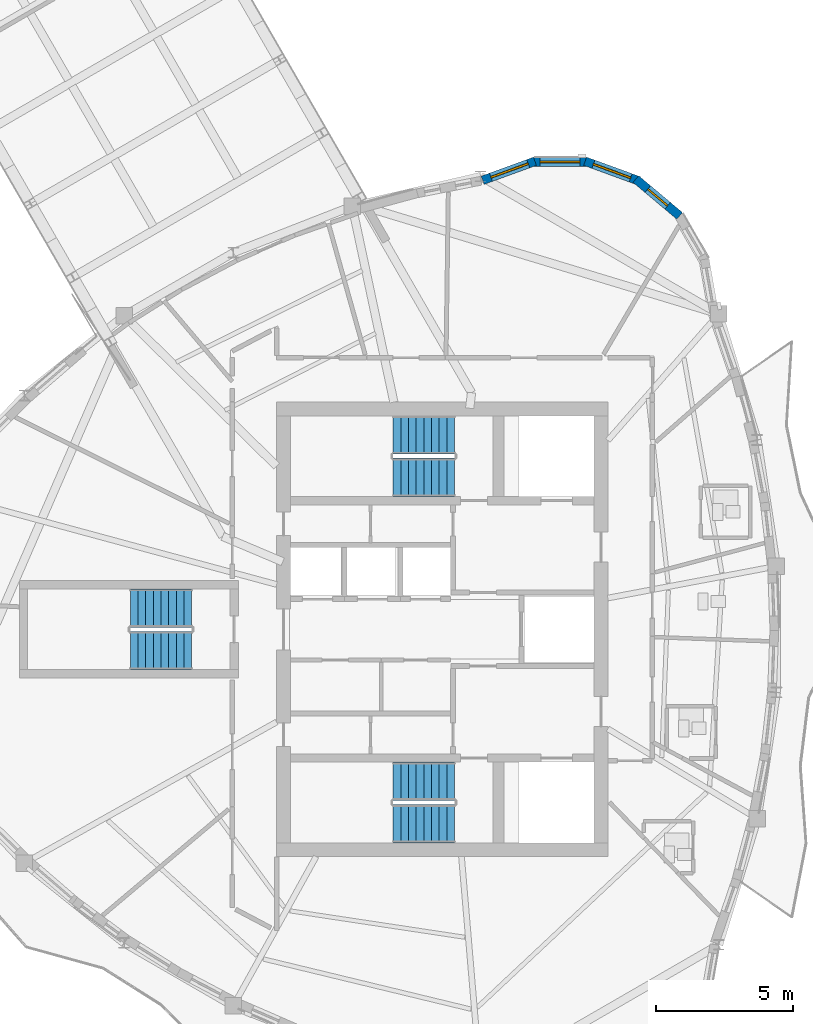
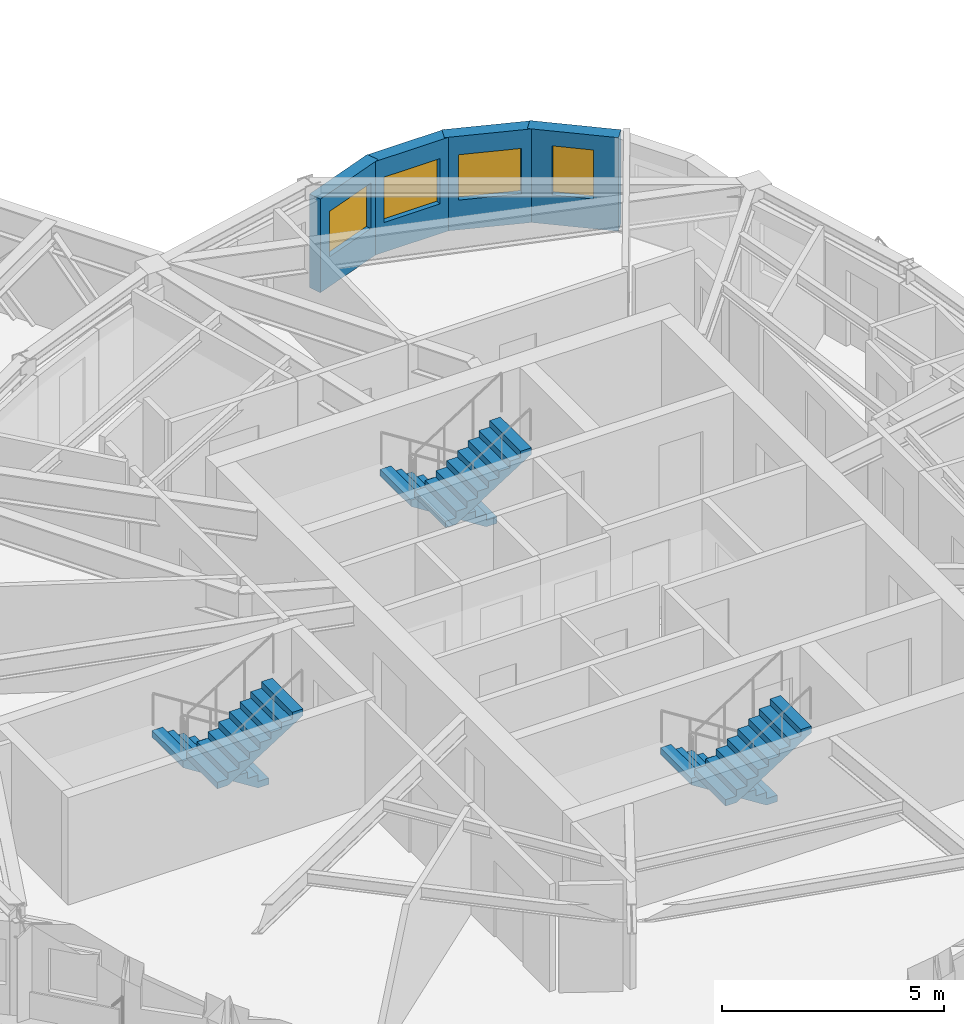
# One storey, part 10 of 14: 6 stair flights, 4 walls, 4 windows, 4 openings, 3 elements without a shape of their own.
"""IFC4 building model written with IfcOpenShell, lengths in metres."""

from ifc_helpers import new_model, si_unit, direction, frame, frame_2d, origin, place, context, subcontext, project, spatial, polyline, rectangle, outline, extrude, source, transform, mapped, material, layer, layer_set, type_object, element, fill, aggregate, save


model = new_model("IFC4")

# Units and contexts
model_context = context("Model", 3, precision=1e-05, world=origin(), true_north=direction((0.0, 1.0)))
body_context = subcontext(model_context, "Body", "Model", "MODEL_VIEW")
ifc_project = project(units=[si_unit("LENGTHUNIT", "METRE"), si_unit("AREAUNIT", "SQUARE_METRE"), si_unit("VOLUMEUNIT", "CUBIC_METRE"), si_unit("PLANEANGLEUNIT", "RADIAN"), si_unit("MASSUNIT", "GRAM", prefix="KILO")], contexts=[model_context])

# Site, building, storey
site_placement = place(None, origin())
site = spatial("IfcSite", under=ifc_project, at=site_placement, CompositionType="ELEMENT")
building_placement = place(site_placement, origin())
building = spatial("IfcBuilding", under=site, at=building_placement, Name="Qafzar Sky-Pleat Residences", CompositionType="ELEMENT")
storey_placement = place(building_placement, frame((0.0, 0.0, 211.60009765625)))
storey = spatial("IfcBuildingStorey", under=building, at=storey_placement, Name="L63", CompositionType="ELEMENT", Elevation=211.60009765625)

# Wall, opening, window
ifc_material_1 = material(Name="Precast concrete C40/50 with honed Riyadh limestone", Category="concrete")
ifc_layer = layer(ifc_material_1, 0.320068359375)
ifc_layer_set = layer_set([ifc_layer], Name="Precast concrete C40/50 with honed Riyadh limestone")
wall_type = type_object("IfcWallType", Name="WALL-EXT-320", PredefinedType="SOLIDWALL", material=ifc_layer_set)
wall_1_placement = place(storey_placement, frame((39.02197265625, 41.103515625, 0.0), z_axis=(0.0, 0.0, 1.0), x_axis=(-0.766072824549, 0.642753784499, 0.0)))
wall_1 = element("IfcWall", 1, at=wall_1_placement, inside=storey, type_object=wall_type, Name="L63 Limestone Facade Wall 35", PredefinedType="SOLIDWALL", context=body_context, shape_type="SweptSolid", body=[
    extrude(rectangle(XDim=2.090576171875, YDim=0.320068359375, at=frame_2d((1.04541015625, 0.0))), origin(), (0.0, 0.0, 1.0), 2.579833984375),
])
opening_1_placement = place(wall_1_placement, frame((0.5703125, 0.0, 0.820068359375)))
opening_1 = element("IfcOpeningElement", 2, at=opening_1_placement, cuts=wall_1, Name="Opening WN-12", PredefinedType="OPENING", context=body_context, shape_type="SweptSolid", body=[
    extrude(rectangle(XDim=0.949951171875, YDim=1.35009765625, at=frame_2d((0.47509765625, 0.675048828125))), frame((0.0, 0.169921875, 0.0), z_axis=(0.0, -1.0, 0.0), x_axis=(1.0, 0.0, 0.0)), (0.0, 0.0, 1.0), 0.340087890625),
])
ifc_material_2 = material(Name="Solar-control low-E glass in bronze aluminium frame", Category="glass")
window_type_1 = type_object("IfcWindowType", Name="WIN-12", PartitioningType="SINGLE_PANEL", PredefinedType="WINDOW", material=ifc_material_2)
shared_shape_1 = source(origin(), body_context, "Body", "SweptSolid", [
    extrude(rectangle(XDim=0.949951171875, YDim=1.35009765625, at=frame_2d((0.47509765625, 0.675048828125))), frame((0.0, 0.030029296875, 0.0), z_axis=(0.0, -1.0, 0.0), x_axis=(1.0, 0.0, 0.0)), (0.0, 0.0, 1.0), 0.06005859375),
])
window_1_placement = place(opening_1_placement, origin())
window_1 = element("IfcWindow", 3, at=window_1_placement, inside=storey, type_object=window_type_1, Name="L63 Punched Facade Window 35", OverallHeight=1.35009765625, OverallWidth=0.949951171875, PartitioningType="SINGLE_PANEL", PredefinedType="WINDOW", context=body_context, shape_type="MappedRepresentation", body=[
    mapped(shared_shape_1, transform((0.0, 0.0, 0.0), x_axis=(1.0, 0.0, 0.0), y_axis=(0.0, 1.0, 0.0), z_axis=(0.0, 0.0, 1.0), scale=1.0)),
])
fill(opening_1, window_1)

wall_2_placement = place(storey_placement, frame((37.533447265625, 42.382080078125, 0.0), z_axis=(0.0, 0.0, 1.0), x_axis=(-0.939697896412, 0.342005648315, 0.0)))
wall_2 = element("IfcWall", 4, at=wall_2_placement, inside=storey, type_object=wall_type, Name="L63 Limestone Facade Wall 36", PredefinedType="SOLIDWALL", context=body_context, shape_type="SweptSolid", body=[
    extrude(rectangle(XDim=2.090087890625, YDim=0.320068359375, at=frame_2d((1.044921875, 0.0))), origin(), (0.0, 0.0, 1.0), 2.579833984375),
])
opening_2_placement = place(wall_2_placement, frame((0.3203125, 0.0, 0.820068359375)))
opening_2 = element("IfcOpeningElement", 5, at=opening_2_placement, cuts=wall_2, Name="Opening WN-15", PredefinedType="OPENING", context=body_context, shape_type="SweptSolid", body=[
    extrude(rectangle(XDim=1.449951171875, YDim=1.25, at=frame_2d((0.72509765625, 0.625))), frame((0.0, 0.169921875, 0.0), z_axis=(0.0, -1.0, 0.0), x_axis=(1.0, 0.0, 0.0)), (0.0, 0.0, 1.0), 0.340087890625),
])
window_type_2 = type_object("IfcWindowType", Name="WIN-15", PartitioningType="SINGLE_PANEL", PredefinedType="WINDOW", material=ifc_material_2)
shared_shape_2 = source(origin(), body_context, "Body", "SweptSolid", [
    extrude(rectangle(XDim=1.449951171875, YDim=1.25, at=frame_2d((0.72509765625, 0.625))), frame((0.0, 0.030029296875, 0.0), z_axis=(0.0, -1.0, 0.0), x_axis=(1.0, 0.0, 0.0)), (0.0, 0.0, 1.0), 0.06005859375),
])
window_2_placement = place(opening_2_placement, origin())
window_2 = element("IfcWindow", 6, at=window_2_placement, inside=storey, type_object=window_type_2, Name="L63 Punched Facade Window 36", OverallHeight=1.25, OverallWidth=1.449951171875, PartitioningType="SINGLE_PANEL", PredefinedType="WINDOW", context=body_context, shape_type="MappedRepresentation", body=[
    mapped(shared_shape_2, transform((0.0, 0.0, 0.0), x_axis=(1.0, 0.0, 0.0), y_axis=(0.0, 1.0, 0.0), z_axis=(0.0, 0.0, 1.0), scale=1.0)),
])
fill(opening_2, window_2)

wall_3_placement = place(storey_placement, frame((35.69775390625, 43.074462890625, 0.0), z_axis=(0.0, 0.0, 1.0), x_axis=(-1.0, 0.0, 0.0)))
wall_3 = element("IfcWall", 7, at=wall_3_placement, inside=storey, type_object=wall_type, Name="L63 Limestone Facade Wall 37", PredefinedType="SOLIDWALL", context=body_context, shape_type="SweptSolid", body=[
    extrude(rectangle(XDim=2.09033203125, YDim=0.320068359375, at=frame_2d((1.045166015625, 0.0))), origin(), (0.0, 0.0, 1.0), 2.579833984375),
])
opening_3_placement = place(wall_3_placement, frame((0.3203125, 0.0, 0.820068359375)))
opening_3 = element("IfcOpeningElement", 8, at=opening_3_placement, cuts=wall_3, Name="Opening WN-15", PredefinedType="OPENING", context=body_context, shape_type="SweptSolid", body=[
    extrude(rectangle(XDim=1.449951171875, YDim=1.25, at=frame_2d((0.72509765625, 0.625))), frame((0.0, 0.169921875, 0.0), z_axis=(0.0, -1.0, 0.0), x_axis=(1.0, 0.0, 0.0)), (0.0, 0.0, 1.0), 0.340087890625),
])
window_3_placement = place(opening_3_placement, origin())
window_3 = element("IfcWindow", 9, at=window_3_placement, inside=storey, type_object=window_type_2, Name="L63 Punched Facade Window 37", OverallHeight=1.25, OverallWidth=1.449951171875, PartitioningType="SINGLE_PANEL", PredefinedType="WINDOW", context=body_context, shape_type="MappedRepresentation", body=[
    mapped(shared_shape_2, transform((0.0, 0.0, 0.0), x_axis=(1.0, 0.0, 0.0), y_axis=(0.0, 1.0, 0.0), z_axis=(0.0, 0.0, 1.0), scale=1.0)),
])
fill(opening_3, window_3)

wall_4_placement = place(storey_placement, frame((33.735595703125, 43.096923828125, 0.0), z_axis=(0.0, 0.0, 1.0), x_axis=(-0.939691662178, -0.342022777067, 0.0)))
wall_4 = element("IfcWall", 10, at=wall_4_placement, inside=storey, type_object=wall_type, Name="L63 Limestone Facade Wall 38", PredefinedType="SOLIDWALL", context=body_context, shape_type="SweptSolid", body=[
    extrude(rectangle(XDim=2.0322265625, YDim=0.320068359375, at=frame_2d((1.01611328125, 0.0))), origin(), (0.0, 0.0, 1.0), 2.579833984375),
])
opening_4_placement = place(wall_4_placement, frame((0.26123046875, 0.0, 0.820068359375)))
opening_4 = element("IfcOpeningElement", 11, at=opening_4_placement, cuts=wall_4, Name="Opening WN-15", PredefinedType="OPENING", context=body_context, shape_type="SweptSolid", body=[
    extrude(rectangle(XDim=1.449951171875, YDim=1.25, at=frame_2d((0.72509765625, 0.625))), frame((0.0, 0.169921875, 0.0), z_axis=(0.0, -1.0, 0.0), x_axis=(1.0, 0.0, 0.0)), (0.0, 0.0, 1.0), 0.340087890625),
])
window_4_placement = place(opening_4_placement, origin())
window_4 = element("IfcWindow", 12, at=window_4_placement, inside=storey, type_object=window_type_2, Name="L63 Punched Facade Window 38", OverallHeight=1.25, OverallWidth=1.449951171875, PartitioningType="SINGLE_PANEL", PredefinedType="WINDOW", context=body_context, shape_type="MappedRepresentation", body=[
    mapped(shared_shape_2, transform((0.0, 0.0, 0.0), x_axis=(1.0, 0.0, 0.0), y_axis=(0.0, 1.0, 0.0), z_axis=(0.0, 0.0, 1.0), scale=1.0)),
])
fill(opening_4, window_4)

# Stair, stair flights
ifc_material_3 = material(Name="Concrete C40/50", Category="concrete")
stair_type = type_object("IfcStairType", Name="STAIR-H320", PredefinedType="HALF_TURN_STAIR", material=ifc_material_3)
stair_1_placement = place(storey_placement, origin())
stair_1 = element("IfcStair", 13, at=stair_1_placement, inside=storey, type_object=stair_type, Name="L63 Protected Exit Stair ST1", PredefinedType="HALF_TURN_STAIR")
stair_flight_type = type_object("IfcStairFlightType", Name="FLIGHT-H320", PredefinedType="STRAIGHT", material=ifc_material_3)
shared_shape_3 = source(origin(), body_context, "Body", "SweptSolid", [
    extrude(outline(polyline([(0.0, 0.0), (0.0, 0.177734375), (0.280029296875, 0.177734375), (0.280029296875, 0.35546875), (0.56005859375, 0.35546875), (0.56005859375, 0.533447265625), (0.840087890625, 0.533447265625), (0.840087890625, 0.711181640625), (1.1201171875, 0.711181640625), (1.1201171875, 0.888916015625), (1.39990234375, 0.888916015625), (1.39990234375, 1.066650390625), (1.679931640625, 1.066650390625), (1.679931640625, 1.244384765625), (1.9599609375, 1.244384765625), (1.9599609375, 1.422119140625), (2.239990234375, 1.422119140625), (2.239990234375, 1.60009765625), (2.239990234375, 1.24462890625), (0.27978515625, 0.0), (0.0, 0.0)])), frame((0.0, 0.699951171875, 0.0), z_axis=(0.0, -1.0, 0.0), x_axis=(1.0, 0.0, 0.0)), (0.0, 0.0, 1.0), 1.39990234375),
])
stair_flight_1_placement = place(storey_placement, frame((30.800048828125, 20.449951171875, 0.0), z_axis=(0.0, 0.0, 1.0), x_axis=(-1.0, 0.0, 0.0)))
stair_flight_1 = element("IfcStairFlight", 14, at=stair_flight_1_placement, type_object=stair_flight_type, Name="ST1 flight 1", NumberOfRisers=9, NumberOfTreads=8, PredefinedType="STRAIGHT", RiserHeight=0.177777778, TreadLength=0.28, context=body_context, shape_type="MappedRepresentation", body=[
    mapped(shared_shape_3, transform((0.0, 0.0, 0.0), x_axis=(1.0, 0.0, 0.0), y_axis=(0.0, 1.0, 0.0), z_axis=(0.0, 0.0, 1.0), scale=1.0)),
])
stair_flight_2_placement = place(storey_placement, frame((28.56005859375, 18.89990234375, 1.599853515625), z_axis=(0.0, 0.0, 1.0), x_axis=(1.0, 0.0, 0.0)))
stair_flight_2 = element("IfcStairFlight", 15, at=stair_flight_2_placement, type_object=stair_flight_type, Name="ST1 flight 2", NumberOfRisers=9, NumberOfTreads=8, PredefinedType="STRAIGHT", RiserHeight=0.177777778, TreadLength=0.28, context=body_context, shape_type="MappedRepresentation", body=[
    mapped(shared_shape_3, transform((0.0, 0.0, 0.0), x_axis=(1.0, 0.0, 0.0), y_axis=(0.0, 1.0, 0.0), z_axis=(0.0, 0.0, 1.0), scale=1.0)),
])
aggregate(stair_1, [stair_flight_1, stair_flight_2])

stair_2_placement = place(storey_placement, origin())
stair_2 = element("IfcStair", 16, at=stair_2_placement, inside=storey, type_object=stair_type, Name="L63 Protected Exit Stair ST2", PredefinedType="HALF_TURN_STAIR")
stair_flight_3_placement = place(storey_placement, frame((30.800048828125, 33.10009765625, 0.0), z_axis=(0.0, 0.0, 1.0), x_axis=(-1.0, 0.0, 0.0)))
stair_flight_3 = element("IfcStairFlight", 17, at=stair_flight_3_placement, type_object=stair_flight_type, Name="ST2 flight 1", NumberOfRisers=9, NumberOfTreads=8, PredefinedType="STRAIGHT", RiserHeight=0.177777778, TreadLength=0.28, context=body_context, shape_type="MappedRepresentation", body=[
    mapped(shared_shape_3, transform((0.0, 0.0, 0.0), x_axis=(1.0, 0.0, 0.0), y_axis=(0.0, 1.0, 0.0), z_axis=(0.0, 0.0, 1.0), scale=1.0)),
])
stair_flight_4_placement = place(storey_placement, frame((28.56005859375, 31.550048828125, 1.599853515625), z_axis=(0.0, 0.0, 1.0), x_axis=(1.0, 0.0, 0.0)))
stair_flight_4 = element("IfcStairFlight", 18, at=stair_flight_4_placement, type_object=stair_flight_type, Name="ST2 flight 2", NumberOfRisers=9, NumberOfTreads=8, PredefinedType="STRAIGHT", RiserHeight=0.177777778, TreadLength=0.28, context=body_context, shape_type="MappedRepresentation", body=[
    mapped(shared_shape_3, transform((0.0, 0.0, 0.0), x_axis=(1.0, 0.0, 0.0), y_axis=(0.0, 1.0, 0.0), z_axis=(0.0, 0.0, 1.0), scale=1.0)),
])
aggregate(stair_2, [stair_flight_3, stair_flight_4])

stair_3_placement = place(storey_placement, origin())
stair_3 = element("IfcStair", 19, at=stair_3_placement, inside=storey, type_object=stair_type, Name="L63 Protected Exit Stair ST3", PredefinedType="HALF_TURN_STAIR")
stair_flight_5_placement = place(storey_placement, frame((21.199951171875, 26.77490234375, 0.0), z_axis=(0.0, 0.0, 1.0), x_axis=(-1.0, 0.0, 0.0)))
stair_flight_5 = element("IfcStairFlight", 20, at=stair_flight_5_placement, type_object=stair_flight_type, Name="ST3 flight 1", NumberOfRisers=9, NumberOfTreads=8, PredefinedType="STRAIGHT", RiserHeight=0.177777778, TreadLength=0.28, context=body_context, shape_type="MappedRepresentation", body=[
    mapped(shared_shape_3, transform((0.0, 0.0, 0.0), x_axis=(1.0, 0.0, 0.0), y_axis=(0.0, 1.0, 0.0), z_axis=(0.0, 0.0, 1.0), scale=1.0)),
])
stair_flight_6_placement = place(storey_placement, frame((18.9599609375, 25.22509765625, 1.599853515625), z_axis=(0.0, 0.0, 1.0), x_axis=(1.0, 0.0, 0.0)))
stair_flight_6 = element("IfcStairFlight", 21, at=stair_flight_6_placement, type_object=stair_flight_type, Name="ST3 flight 2", NumberOfRisers=9, NumberOfTreads=8, PredefinedType="STRAIGHT", RiserHeight=0.177777778, TreadLength=0.28, context=body_context, shape_type="MappedRepresentation", body=[
    mapped(shared_shape_3, transform((0.0, 0.0, 0.0), x_axis=(1.0, 0.0, 0.0), y_axis=(0.0, 1.0, 0.0), z_axis=(0.0, 0.0, 1.0), scale=1.0)),
])
aggregate(stair_3, [stair_flight_5, stair_flight_6])

save(model, "model.ifc")
